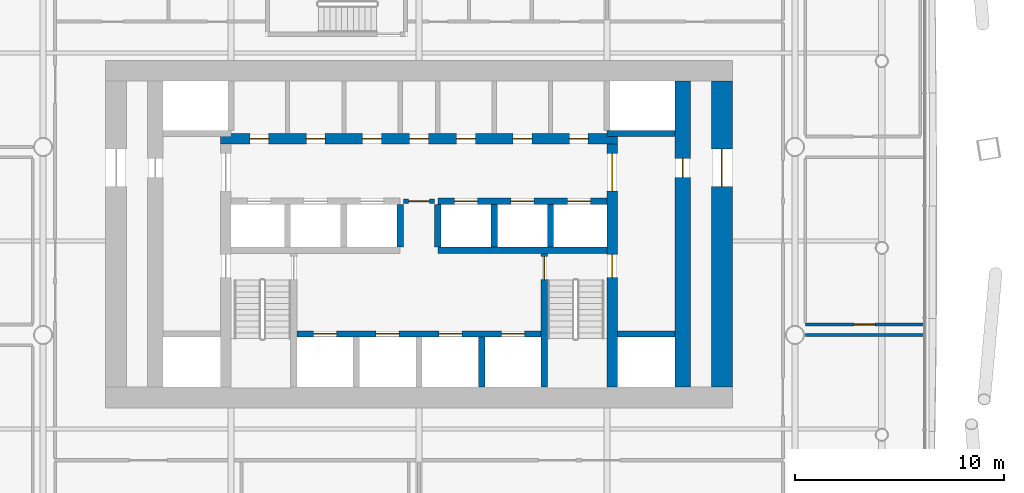
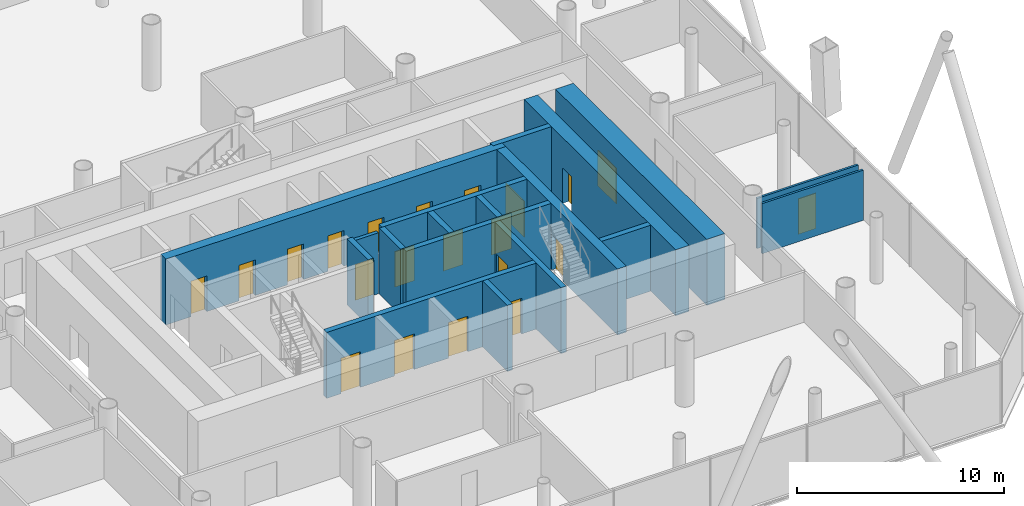
# One storey, part 18 of 25: 21 doors, 18 walls, 21 openings.
"""IFC4 building model written with IfcOpenShell, lengths in metres."""

from ifc_helpers import new_model, si_unit, direction, frame, frame_2d, origin, place, context, subcontext, project, spatial, rectangle, extrude, material, layer, layer_set, type_object, element, fill, save


model = new_model("IFC4")

# Units and contexts
model_context = context("Model", 3, precision=1e-05, world=origin(), true_north=direction((0.0, 1.0)))
body_context = subcontext(model_context, "Body", "Model", "MODEL_VIEW")
ifc_project = project(units=[si_unit("LENGTHUNIT", "METRE"), si_unit("AREAUNIT", "SQUARE_METRE"), si_unit("VOLUMEUNIT", "CUBIC_METRE"), si_unit("PLANEANGLEUNIT", "RADIAN"), si_unit("MASSUNIT", "GRAM", prefix="KILO")], contexts=[model_context])

# Site, building, storey
site_placement = place(None, origin())
site = spatial("IfcSite", under=ifc_project, at=site_placement, CompositionType="ELEMENT")
building_placement = place(site_placement, origin())
building = spatial("IfcBuilding", under=site, at=building_placement, Name="Tskaro Facet Tower", CompositionType="ELEMENT")
storey_placement = place(building_placement, frame((0.0, 0.0, 22.5)))
storey = spatial("IfcBuildingStorey", under=building, at=storey_placement, Name="L04", CompositionType="ELEMENT", Elevation=22.5)

# Wall, openings, doors
ifc_material_1 = material(Name="Concrete C60/75", Category="concrete")
ifc_layer_1 = layer(ifc_material_1, 0.300048828125, Name="Concrete C60/75")
ifc_layer_set_1 = layer_set([ifc_layer_1], Name="Concrete C60/75")
wall_type_1 = type_object("IfcWallType", Name="CORE-SHAFT", PredefinedType="SHEAR", material=ifc_layer_set_1)
wall_1_placement = place(storey_placement, frame((-5.85009765625, -8.949951171875, 0.0), z_axis=(0.0, 0.0, 1.0), x_axis=(1.0, 0.0, 0.0)))
wall_1 = element("IfcWall", 1, at=wall_1_placement, inside=storey, type_object=wall_type_1, Name="Shaft wall W007", PredefinedType="SHEAR", context=body_context, shape_type="SweptSolid", body=[
    extrude(rectangle(XDim=11.7001953125, YDim=0.300048828125, at=frame_2d((5.85009765625, 0.0))), origin(), (0.0, 0.0, 1.0), 3.89990234375),
])
opening_1_placement = place(wall_1_placement, frame((0.800048828125, 0.0, 0.0)))
opening_1 = element("IfcOpeningElement", 2, at=opening_1_placement, cuts=wall_1, Name="Opening LD-FF1", PredefinedType="OPENING", context=body_context, shape_type="SweptSolid", body=[
    extrude(rectangle(XDim=1.10009765625, YDim=2.10009765625, at=frame_2d((0.550048828125, 1.050048828125))), frame((0.0, 0.159912109375, 0.0), z_axis=(0.0, -1.0, 0.0), x_axis=(1.0, 0.0, 0.0)), (0.0, 0.0, 1.0), 0.320068359375),
])
opening_2_placement = place(wall_1_placement, frame((3.800048828125, 0.0, 0.0)))
opening_2 = element("IfcOpeningElement", 3, at=opening_2_placement, cuts=wall_1, Name="Opening LD-FF2", PredefinedType="OPENING", context=body_context, shape_type="SweptSolid", body=[
    extrude(rectangle(XDim=1.10009765625, YDim=2.10009765625, at=frame_2d((0.550048828125, 1.050048828125))), frame((0.0, 0.159912109375, 0.0), z_axis=(0.0, -1.0, 0.0), x_axis=(1.0, 0.0, 0.0)), (0.0, 0.0, 1.0), 0.320068359375),
])
opening_3_placement = place(wall_1_placement, frame((6.800048828125, 0.0, 0.0)))
opening_3 = element("IfcOpeningElement", 4, at=opening_3_placement, cuts=wall_1, Name="Opening LD-SV1", PredefinedType="OPENING", context=body_context, shape_type="SweptSolid", body=[
    extrude(rectangle(XDim=1.10009765625, YDim=2.10009765625, at=frame_2d((0.550048828125, 1.050048828125))), frame((0.0, 0.159912109375, 0.0), z_axis=(0.0, -1.0, 0.0), x_axis=(1.0, 0.0, 0.0)), (0.0, 0.0, 1.0), 0.320068359375),
])
opening_4_placement = place(wall_1_placement, frame((9.800048828125, 0.0, 0.0)))
opening_4 = element("IfcOpeningElement", 5, at=opening_4_placement, cuts=wall_1, Name="Opening LD-SV2", PredefinedType="OPENING", context=body_context, shape_type="SweptSolid", body=[
    extrude(rectangle(XDim=1.10009765625, YDim=2.10009765625, at=frame_2d((0.550048828125, 1.050048828125))), frame((0.0, 0.159912109375, 0.0), z_axis=(0.0, -1.0, 0.0), x_axis=(1.0, 0.0, 0.0)), (0.0, 0.0, 1.0), 0.320068359375),
])
ifc_material_2 = material(Name="Stainless steel", Category="steel")
door_type_1 = type_object("IfcDoorType", Name="D-LANDING", OperationType="NOTDEFINED", PredefinedType="DOOR", material=ifc_material_2)
door_1_placement = place(opening_1_placement, origin())
door_1 = element("IfcDoor", 6, at=door_1_placement, inside=storey, type_object=door_type_1, Name="Landing door FF1", OperationType="DOUBLE_DOOR_SLIDING", OverallHeight=2.10009765625, OverallWidth=1.10009765625, PredefinedType="DOOR", context=body_context, shape_type="SweptSolid", body=[
    extrude(rectangle(XDim=1.10009765625, YDim=2.10009765625, at=frame_2d((0.550048828125, 1.050048828125))), frame((0.0, 0.02490234375, 0.0), z_axis=(0.0, -1.0, 0.0), x_axis=(1.0, 0.0, 0.0)), (0.0, 0.0, 1.0), 0.050048828125),
])
fill(opening_1, door_1)
door_2_placement = place(opening_2_placement, origin())
door_2 = element("IfcDoor", 7, at=door_2_placement, inside=storey, type_object=door_type_1, Name="Landing door FF2", OperationType="DOUBLE_DOOR_SLIDING", OverallHeight=2.10009765625, OverallWidth=1.10009765625, PredefinedType="DOOR", context=body_context, shape_type="SweptSolid", body=[
    extrude(rectangle(XDim=1.10009765625, YDim=2.10009765625, at=frame_2d((0.550048828125, 1.050048828125))), frame((0.0, 0.02490234375, 0.0), z_axis=(0.0, -1.0, 0.0), x_axis=(1.0, 0.0, 0.0)), (0.0, 0.0, 1.0), 0.050048828125),
])
fill(opening_2, door_2)
door_3_placement = place(opening_3_placement, origin())
door_3 = element("IfcDoor", 8, at=door_3_placement, inside=storey, type_object=door_type_1, Name="Landing door SV1", OperationType="DOUBLE_DOOR_SLIDING", OverallHeight=2.10009765625, OverallWidth=1.10009765625, PredefinedType="DOOR", context=body_context, shape_type="SweptSolid", body=[
    extrude(rectangle(XDim=1.10009765625, YDim=2.10009765625, at=frame_2d((0.550048828125, 1.050048828125))), frame((0.0, 0.02490234375, 0.0), z_axis=(0.0, -1.0, 0.0), x_axis=(1.0, 0.0, 0.0)), (0.0, 0.0, 1.0), 0.050048828125),
])
fill(opening_3, door_3)
door_4_placement = place(opening_4_placement, origin())
door_4 = element("IfcDoor", 9, at=door_4_placement, inside=storey, type_object=door_type_1, Name="Landing door SV2", OperationType="DOUBLE_DOOR_SLIDING", OverallHeight=2.10009765625, OverallWidth=1.10009765625, PredefinedType="DOOR", context=body_context, shape_type="SweptSolid", body=[
    extrude(rectangle(XDim=1.10009765625, YDim=2.10009765625, at=frame_2d((0.550048828125, 1.050048828125))), frame((0.0, 0.02490234375, 0.0), z_axis=(0.0, -1.0, 0.0), x_axis=(1.0, 0.0, 0.0)), (0.0, 0.0, 1.0), 0.050048828125),
])
fill(opening_4, door_4)

# Walls
wall_2_placement = place(storey_placement, frame((9.5, -8.949951171875, 0.0), z_axis=(0.0, 0.0, 1.0), x_axis=(1.0, 0.0, 0.0)))
element("IfcWall", 10, at=wall_2_placement, inside=storey, type_object=wall_type_1, Name="Shaft wall W008", PredefinedType="SHEAR", context=body_context, shape_type="SweptSolid", body=[
    extrude(rectangle(XDim=2.75, YDim=0.300048828125, at=frame_2d((1.375, 0.0))), origin(), (0.0, 0.0, 1.0), 3.89990234375),
])
wall_3_placement = place(storey_placement, frame((0.89990234375, -4.949951171875, 0.0), z_axis=(0.0, 0.0, 1.0), x_axis=(1.0, 0.0, 0.0)))
element("IfcWall", 11, at=wall_3_placement, inside=storey, type_object=wall_type_1, Name="Shaft wall W012", PredefinedType="SHEAR", context=body_context, shape_type="SweptSolid", body=[
    extrude(rectangle(XDim=8.10009765625, YDim=0.300048828125, at=frame_2d((4.050048828125, 0.0))), origin(), (0.0, 0.0, 1.0), 3.89990234375),
])

# Wall, openings, doors
wall_4_placement = place(storey_placement, frame((0.89990234375, -2.60009765625, 0.0), z_axis=(0.0, 0.0, 1.0), x_axis=(1.0, 0.0, 0.0)))
wall_4 = element("IfcWall", 12, at=wall_4_placement, inside=storey, type_object=wall_type_1, Name="Shaft wall W015", PredefinedType="SHEAR", context=body_context, shape_type="SweptSolid", body=[
    extrude(rectangle(XDim=8.10009765625, YDim=0.300048828125, at=frame_2d((4.050048828125, 0.0))), origin(), (0.0, 0.0, 1.0), 3.89990234375),
])
opening_5_placement = place(wall_4_placement, frame((0.800048828125, 0.0, 0.0)))
opening_5 = element("IfcOpeningElement", 13, at=opening_5_placement, cuts=wall_4, Name="Opening LD-LR4", PredefinedType="OPENING", context=body_context, shape_type="SweptSolid", body=[
    extrude(rectangle(XDim=1.10009765625, YDim=2.10009765625, at=frame_2d((0.550048828125, 1.050048828125))), frame((0.0, 0.159912109375, 0.0), z_axis=(0.0, -1.0, 0.0), x_axis=(1.0, 0.0, 0.0)), (0.0, 0.0, 1.0), 0.320068359375),
])
opening_6_placement = place(wall_4_placement, frame((3.5, 0.0, 0.0)))
opening_6 = element("IfcOpeningElement", 14, at=opening_6_placement, cuts=wall_4, Name="Opening LD-LR5", PredefinedType="OPENING", context=body_context, shape_type="SweptSolid", body=[
    extrude(rectangle(XDim=1.10009765625, YDim=2.10009765625, at=frame_2d((0.550048828125, 1.050048828125))), frame((0.0, 0.159912109375, 0.0), z_axis=(0.0, -1.0, 0.0), x_axis=(1.0, 0.0, 0.0)), (0.0, 0.0, 1.0), 0.320068359375),
])
opening_7_placement = place(wall_4_placement, frame((6.199951171875, 0.0, 0.0)))
opening_7 = element("IfcOpeningElement", 15, at=opening_7_placement, cuts=wall_4, Name="Opening LD-LR6", PredefinedType="OPENING", context=body_context, shape_type="SweptSolid", body=[
    extrude(rectangle(XDim=1.10009765625, YDim=2.10009765625, at=frame_2d((0.550048828125, 1.050048828125))), frame((0.0, 0.159912109375, 0.0), z_axis=(0.0, -1.0, 0.0), x_axis=(1.0, 0.0, 0.0)), (0.0, 0.0, 1.0), 0.320068359375),
])
door_5_placement = place(opening_5_placement, origin())
door_5 = element("IfcDoor", 16, at=door_5_placement, inside=storey, type_object=door_type_1, Name="Landing door LR4", OperationType="DOUBLE_DOOR_SLIDING", OverallHeight=2.10009765625, OverallWidth=1.10009765625, PredefinedType="DOOR", context=body_context, shape_type="SweptSolid", body=[
    extrude(rectangle(XDim=1.10009765625, YDim=2.10009765625, at=frame_2d((0.550048828125, 1.050048828125))), frame((0.0, 0.02490234375, 0.0), z_axis=(0.0, -1.0, 0.0), x_axis=(1.0, 0.0, 0.0)), (0.0, 0.0, 1.0), 0.050048828125),
])
fill(opening_5, door_5)
door_6_placement = place(opening_6_placement, origin())
door_6 = element("IfcDoor", 17, at=door_6_placement, inside=storey, type_object=door_type_1, Name="Landing door LR5", OperationType="DOUBLE_DOOR_SLIDING", OverallHeight=2.10009765625, OverallWidth=1.10009765625, PredefinedType="DOOR", context=body_context, shape_type="SweptSolid", body=[
    extrude(rectangle(XDim=1.10009765625, YDim=2.10009765625, at=frame_2d((0.550048828125, 1.050048828125))), frame((0.0, 0.02490234375, 0.0), z_axis=(0.0, -1.0, 0.0), x_axis=(1.0, 0.0, 0.0)), (0.0, 0.0, 1.0), 0.050048828125),
])
fill(opening_6, door_6)
door_7_placement = place(opening_7_placement, origin())
door_7 = element("IfcDoor", 18, at=door_7_placement, inside=storey, type_object=door_type_1, Name="Landing door LR6", OperationType="DOUBLE_DOOR_SLIDING", OverallHeight=2.10009765625, OverallWidth=1.10009765625, PredefinedType="DOOR", context=body_context, shape_type="SweptSolid", body=[
    extrude(rectangle(XDim=1.10009765625, YDim=2.10009765625, at=frame_2d((0.550048828125, 1.050048828125))), frame((0.0, 0.02490234375, 0.0), z_axis=(0.0, -1.0, 0.0), x_axis=(1.0, 0.0, 0.0)), (0.0, 0.0, 1.0), 0.050048828125),
])
fill(opening_7, door_7)

# Walls
wall_5_placement = place(storey_placement, frame((12.25, 0.64990234375, 0.0), z_axis=(0.0, 0.0, 1.0), x_axis=(-1.0, 0.0, 0.0)))
element("IfcWall", 19, at=wall_5_placement, inside=storey, type_object=wall_type_1, Name="Shaft wall W021", PredefinedType="SHEAR", context=body_context, shape_type="SweptSolid", body=[
    extrude(rectangle(XDim=3.25, YDim=0.300048828125, at=frame_2d((1.625, 0.0))), origin(), (0.0, 0.0, 1.0), 3.89990234375),
])
for number, where, z_axis, x_axis, name in (
    (20, (-0.89990234375, -4.800048828125, 0.0), (0.0, 0.0, 1.0), (0.0, 1.0, 0.0), "Shaft wall W050"),
    (21, (0.89990234375, -4.800048828125, 0.0), (0.0, 0.0, 1.0), (0.0, 1.0, 0.0), "Shaft wall W059"),
):
    element("IfcWall", number, at=place(storey_placement, frame(where, z_axis=z_axis, x_axis=x_axis)), inside=storey, type_object=wall_type_1, Name=name, PredefinedType="SHEAR", context=body_context, shape_type="SweptSolid", body=[
        extrude(rectangle(XDim=2.050048828125, YDim=0.300048828125, at=frame_2d((1.02490234375, 0.0))), origin(), (0.0, 0.0, 1.0), 3.89990234375),
    ])
wall_6_placement = place(storey_placement, frame((3.0, -11.5, 0.0), z_axis=(0.0, 0.0, 1.0), x_axis=(0.0, 1.0, 0.0)))
element("IfcWall", 22, at=wall_6_placement, inside=storey, type_object=wall_type_1, Name="Shaft wall W062", PredefinedType="SHEAR", context=body_context, shape_type="SweptSolid", body=[
    extrude(rectangle(XDim=2.39990234375, YDim=0.300048828125, at=frame_2d((1.199951171875, 0.0))), origin(), (0.0, 0.0, 1.0), 3.89990234375),
])
wall_7_placement = place(storey_placement, frame((3.60009765625, -4.800048828125, 0.0), z_axis=(0.0, 0.0, 1.0), x_axis=(0.0, 1.0, 0.0)))
element("IfcWall", 23, at=wall_7_placement, inside=storey, type_object=wall_type_1, Name="Shaft wall W063", PredefinedType="SHEAR", context=body_context, shape_type="SweptSolid", body=[
    extrude(rectangle(XDim=2.050048828125, YDim=0.300048828125, at=frame_2d((1.02490234375, 0.0))), origin(), (0.0, 0.0, 1.0), 3.89990234375),
])

# Wall, opening, door
wall_8_placement = place(storey_placement, frame((6.0, -5.10009765625, 0.0), z_axis=(0.0, 0.0, 1.0), x_axis=(0.0, -1.0, 0.0)))
wall_8 = element("IfcWall", 24, at=wall_8_placement, inside=storey, type_object=wall_type_1, Name="Shaft wall W066", PredefinedType="SHEAR", context=body_context, shape_type="SweptSolid", body=[
    extrude(rectangle(XDim=6.39990234375, YDim=0.300048828125, at=frame_2d((3.199951171875, 0.0))), origin(), (0.0, 0.0, 1.0), 3.89990234375),
])
opening_8_placement = place(wall_8_placement, frame((0.14990234375, 0.0, 0.0)))
opening_8 = element("IfcOpeningElement", 25, at=opening_8_placement, cuts=wall_8, Name="Opening ST-2-D1", PredefinedType="OPENING", context=body_context, shape_type="SweptSolid", body=[
    extrude(rectangle(XDim=1.10009765625, YDim=2.10009765625, at=frame_2d((0.550048828125, 1.050048828125))), frame((0.0, 0.159912109375, 0.0), z_axis=(0.0, -1.0, 0.0), x_axis=(1.0, 0.0, 0.0)), (0.0, 0.0, 1.0), 0.320068359375),
])
ifc_material_3 = material(Name="Steel", Category="steel")
door_type_2 = type_object("IfcDoorType", Name="D-STAIR", OperationType="NOTDEFINED", PredefinedType="DOOR", material=ifc_material_3)
door_8_placement = place(opening_8_placement, origin())
door_8 = element("IfcDoor", 26, at=door_8_placement, inside=storey, type_object=door_type_2, Name="Stair door 2", OperationType="SINGLE_SWING_RIGHT", OverallHeight=2.10009765625, OverallWidth=1.10009765625, PredefinedType="DOOR", context=body_context, shape_type="SweptSolid", body=[
    extrude(rectangle(XDim=1.10009765625, YDim=2.10009765625, at=frame_2d((0.550048828125, 1.050048828125))), frame((0.0, 0.02490234375, 0.0), z_axis=(0.0, -1.0, 0.0), x_axis=(1.0, 0.0, 0.0)), (0.0, 0.0, 1.0), 0.050048828125),
])
fill(opening_8, door_8)

# Wall
wall_9_placement = place(storey_placement, frame((6.300048828125, -4.800048828125, 0.0), z_axis=(0.0, 0.0, 1.0), x_axis=(0.0, 1.0, 0.0)))
element("IfcWall", 27, at=wall_9_placement, inside=storey, type_object=wall_type_1, Name="Shaft wall W067", PredefinedType="SHEAR", context=body_context, shape_type="SweptSolid", body=[
    extrude(rectangle(XDim=2.050048828125, YDim=0.300048828125, at=frame_2d((1.02490234375, 0.0))), origin(), (0.0, 0.0, 1.0), 3.89990234375),
])

# Wall, opening, door
ifc_material_4 = material(Name="Concrete C20/25", Category="concrete")
ifc_layer_2 = layer(ifc_material_4, 0.199951171875, Name="Concrete C20/25")
ifc_layer_set_2 = layer_set([ifc_layer_2], Name="Concrete C20/25")
wall_type_2 = type_object("IfcWallType", Name="CORE-WALL", PredefinedType="SOLIDWALL", material=ifc_layer_set_2)
wall_10_placement = place(storey_placement, frame((0.75, -2.60009765625, 0.0), z_axis=(0.0, 0.0, 1.0), x_axis=(-1.0, 0.0, 0.0)))
wall_10 = element("IfcWall", 28, at=wall_10_placement, inside=storey, type_object=wall_type_2, Name="Core room wall W014", PredefinedType="SOLIDWALL", context=body_context, shape_type="SweptSolid", body=[
    extrude(rectangle(XDim=1.5, YDim=0.199951171875, at=frame_2d((0.75, 0.0))), origin(), (0.0, 0.0, 1.0), 3.60009765625),
])
opening_9_placement = place(wall_10_placement, frame((0.25, 0.0, 0.0)))
opening_9 = element("IfcOpeningElement", 29, at=opening_9_placement, cuts=wall_10, Name="Opening FL-D1", PredefinedType="OPENING", context=body_context, shape_type="SweptSolid", body=[
    extrude(rectangle(XDim=1.0, YDim=2.10009765625, at=frame_2d((0.5, 1.050048828125))), frame((0.0, 0.10986328125, 0.0), z_axis=(0.0, -1.0, 0.0), x_axis=(1.0, 0.0, 0.0)), (0.0, 0.0, 1.0), 0.219970703125),
])
door_type_3 = type_object("IfcDoorType", Name="D-LOBBY", OperationType="NOTDEFINED", PredefinedType="DOOR", material=ifc_material_3)
door_9_placement = place(opening_9_placement, origin())
door_9 = element("IfcDoor", 30, at=door_9_placement, inside=storey, type_object=door_type_3, Name="Lobby door FL", OperationType="SINGLE_SWING_RIGHT", OverallHeight=2.10009765625, OverallWidth=1.0, PredefinedType="DOOR", context=body_context, shape_type="SweptSolid", body=[
    extrude(rectangle(XDim=1.0, YDim=2.10009765625, at=frame_2d((0.5, 1.050048828125))), frame((0.0, 0.02490234375, 0.0), z_axis=(0.0, -1.0, 0.0), x_axis=(1.0, 0.0, 0.0)), (0.0, 0.0, 1.0), 0.050048828125),
])
fill(opening_9, door_9)

ifc_layer_3 = layer(ifc_material_1, 1.0, Name="Concrete C60/75")
ifc_layer_set_3 = layer_set([ifc_layer_3], Name="Concrete C60/75")
wall_type_3 = type_object("IfcWallType", Name="Core wall 1000", PredefinedType="SHEAR", material=ifc_layer_set_3)
wall_11_placement = place(storey_placement, frame((14.5, -11.5, 0.0), z_axis=(0.0, 0.0, 1.0), x_axis=(0.0, 1.0, 0.0)))
wall_11 = element("IfcWall", 31, at=wall_11_placement, inside=storey, type_object=wall_type_3, Name="Core wall CW-Z1E", PredefinedType="SHEAR", context=body_context, shape_type="SweptSolid", body=[
    extrude(rectangle(XDim=14.64990234375, YDim=1.0, at=frame_2d((7.324951171875, 0.0))), origin(), (0.0, 0.0, 1.0), 3.89990234375),
])
opening_10_placement = place(wall_11_placement, frame((9.60009765625, 0.0, 0.0)))
opening_10 = element("IfcOpeningElement", 32, at=opening_10_placement, cuts=wall_11, Name="Opening T1-D20", PredefinedType="OPENING", context=body_context, shape_type="SweptSolid", body=[
    extrude(rectangle(XDim=1.800048828125, YDim=2.10009765625, at=frame_2d((0.89990234375, 1.050048828125))), frame((0.0, 0.510009765625, 0.0), z_axis=(0.0, -1.0, 0.0), x_axis=(1.0, 0.0, 0.0)), (0.0, 0.0, 1.0), 1.02001953125),
])
door_type_4 = type_object("IfcDoorType", Name="D-CORE-PAIR", OperationType="NOTDEFINED", PredefinedType="DOOR", material=ifc_material_3)
door_10_placement = place(opening_10_placement, origin())
door_10 = element("IfcDoor", 33, at=door_10_placement, inside=storey, type_object=door_type_4, Name="Door T1-D20", OperationType="DOUBLE_DOOR_SINGLE_SWING", OverallHeight=2.10009765625, OverallWidth=1.800048828125, PredefinedType="DOOR", context=body_context, shape_type="SweptSolid", body=[
    extrude(rectangle(XDim=1.800048828125, YDim=2.10009765625, at=frame_2d((0.89990234375, 1.050048828125))), frame((0.0, 0.02490234375, 0.0), z_axis=(0.0, -1.0, 0.0), x_axis=(1.0, 0.0, 0.0)), (0.0, 0.0, 1.0), 0.050048828125),
])
fill(opening_10, door_10)

# Wall, openings, doors
ifc_material_5 = material(Name="Concrete C40/50", Category="concrete")
ifc_layer_4 = layer(ifc_material_5, 0.5, Name="Concrete C40/50")
ifc_layer_set_4 = layer_set([ifc_layer_4], Name="Concrete C40/50")
wall_type_4 = type_object("IfcWallType", Name="Core wall 500", PredefinedType="SHEAR", material=ifc_layer_set_4)
wall_12_placement = place(storey_placement, frame((-9.5, 0.39990234375, 0.0), z_axis=(0.0, 0.0, 1.0), x_axis=(1.0, 0.0, 0.0)))
wall_12 = element("IfcWall", 34, at=wall_12_placement, inside=storey, type_object=wall_type_4, Name="Core wall CW-Z3N", PredefinedType="SHEAR", context=body_context, shape_type="SweptSolid", body=[
    extrude(rectangle(XDim=19.0, YDim=0.5, at=frame_2d((9.5, 0.0))), origin(), (0.0, 0.0, 1.0), 3.89990234375),
])
opening_11_placement = place(wall_12_placement, frame((1.39990234375, 0.0, 0.0)))
opening_11 = element("IfcOpeningElement", 35, at=opening_11_placement, cuts=wall_12, Name="Opening T1-D21", PredefinedType="OPENING", context=body_context, shape_type="SweptSolid", body=[
    extrude(rectangle(XDim=0.89990234375, YDim=2.10009765625, at=frame_2d((0.449951171875, 1.050048828125))), frame((0.0, 0.260009765625, 0.0), z_axis=(0.0, -1.0, 0.0), x_axis=(1.0, 0.0, 0.0)), (0.0, 0.0, 1.0), 0.52001953125),
])
opening_12_placement = place(wall_12_placement, frame((4.10009765625, 0.0, 0.0)))
opening_12 = element("IfcOpeningElement", 36, at=opening_12_placement, cuts=wall_12, Name="Opening T1-D22", PredefinedType="OPENING", context=body_context, shape_type="SweptSolid", body=[
    extrude(rectangle(XDim=0.89990234375, YDim=2.10009765625, at=frame_2d((0.449951171875, 1.050048828125))), frame((0.0, 0.260009765625, 0.0), z_axis=(0.0, -1.0, 0.0), x_axis=(1.0, 0.0, 0.0)), (0.0, 0.0, 1.0), 0.52001953125),
])
opening_13_placement = place(wall_12_placement, frame((6.800048828125, 0.0, 0.0)))
opening_13 = element("IfcOpeningElement", 37, at=opening_13_placement, cuts=wall_12, Name="Opening T1-D23", PredefinedType="OPENING", context=body_context, shape_type="SweptSolid", body=[
    extrude(rectangle(XDim=0.89990234375, YDim=2.10009765625, at=frame_2d((0.449951171875, 1.050048828125))), frame((0.0, 0.260009765625, 0.0), z_axis=(0.0, -1.0, 0.0), x_axis=(1.0, 0.0, 0.0)), (0.0, 0.0, 1.0), 0.52001953125),
])
opening_14_placement = place(wall_12_placement, frame((11.300048828125, 0.0, 0.0)))
opening_14 = element("IfcOpeningElement", 38, at=opening_14_placement, cuts=wall_12, Name="Opening T1-D25", PredefinedType="OPENING", context=body_context, shape_type="SweptSolid", body=[
    extrude(rectangle(XDim=0.89990234375, YDim=2.10009765625, at=frame_2d((0.449951171875, 1.050048828125))), frame((0.0, 0.260009765625, 0.0), z_axis=(0.0, -1.0, 0.0), x_axis=(1.0, 0.0, 0.0)), (0.0, 0.0, 1.0), 0.52001953125),
])
opening_15_placement = place(wall_12_placement, frame((14.0, 0.0, 0.0)))
opening_15 = element("IfcOpeningElement", 39, at=opening_15_placement, cuts=wall_12, Name="Opening T1-D26", PredefinedType="OPENING", context=body_context, shape_type="SweptSolid", body=[
    extrude(rectangle(XDim=0.89990234375, YDim=2.10009765625, at=frame_2d((0.449951171875, 1.050048828125))), frame((0.0, 0.260009765625, 0.0), z_axis=(0.0, -1.0, 0.0), x_axis=(1.0, 0.0, 0.0)), (0.0, 0.0, 1.0), 0.52001953125),
])
opening_16_placement = place(wall_12_placement, frame((16.699951171875, 0.0, 0.0)))
opening_16 = element("IfcOpeningElement", 40, at=opening_16_placement, cuts=wall_12, Name="Opening T1-D27", PredefinedType="OPENING", context=body_context, shape_type="SweptSolid", body=[
    extrude(rectangle(XDim=0.89990234375, YDim=2.10009765625, at=frame_2d((0.449951171875, 1.050048828125))), frame((0.0, 0.260009765625, 0.0), z_axis=(0.0, -1.0, 0.0), x_axis=(1.0, 0.0, 0.0)), (0.0, 0.0, 1.0), 0.52001953125),
])
opening_17_placement = place(wall_12_placement, frame((9.050048828125, 0.0, 0.0)))
opening_17 = element("IfcOpeningElement", 41, at=opening_17_placement, cuts=wall_12, Name="Opening T1-D24", PredefinedType="OPENING", context=body_context, shape_type="SweptSolid", body=[
    extrude(rectangle(XDim=0.89990234375, YDim=2.10009765625, at=frame_2d((0.449951171875, 1.050048828125))), frame((0.0, 0.260009765625, 0.0), z_axis=(0.0, -1.0, 0.0), x_axis=(1.0, 0.0, 0.0)), (0.0, 0.0, 1.0), 0.52001953125),
])
door_type_5 = type_object("IfcDoorType", Name="D-RISER", OperationType="NOTDEFINED", PredefinedType="DOOR", material=ifc_material_3)
door_11_placement = place(opening_17_placement, origin())
door_11 = element("IfcDoor", 42, at=door_11_placement, inside=storey, type_object=door_type_5, Name="Door T1-D24", OperationType="SINGLE_SWING_LEFT", OverallHeight=2.10009765625, OverallWidth=0.89990234375, PredefinedType="DOOR", context=body_context, shape_type="SweptSolid", body=[
    extrude(rectangle(XDim=0.89990234375, YDim=2.10009765625, at=frame_2d((0.449951171875, 1.050048828125))), frame((0.0, 0.02490234375, 0.0), z_axis=(0.0, -1.0, 0.0), x_axis=(1.0, 0.0, 0.0)), (0.0, 0.0, 1.0), 0.050048828125),
])
fill(opening_17, door_11)
ifc_material_6 = material(Name="Timber", Category="wood")
door_type_6 = type_object("IfcDoorType", Name="D-ROOM", OperationType="NOTDEFINED", PredefinedType="DOOR", material=ifc_material_6)
door_12_placement = place(opening_11_placement, origin())
door_12 = element("IfcDoor", 43, at=door_12_placement, inside=storey, type_object=door_type_6, Name="Door T1-D21", OperationType="SINGLE_SWING_LEFT", OverallHeight=2.10009765625, OverallWidth=0.89990234375, PredefinedType="DOOR", context=body_context, shape_type="SweptSolid", body=[
    extrude(rectangle(XDim=0.89990234375, YDim=2.10009765625, at=frame_2d((0.449951171875, 1.050048828125))), frame((0.0, 0.02490234375, 0.0), z_axis=(0.0, -1.0, 0.0), x_axis=(1.0, 0.0, 0.0)), (0.0, 0.0, 1.0), 0.050048828125),
])
fill(opening_11, door_12)
door_13_placement = place(opening_12_placement, origin())
door_13 = element("IfcDoor", 44, at=door_13_placement, inside=storey, type_object=door_type_6, Name="Door T1-D22", OperationType="SINGLE_SWING_LEFT", OverallHeight=2.10009765625, OverallWidth=0.89990234375, PredefinedType="DOOR", context=body_context, shape_type="SweptSolid", body=[
    extrude(rectangle(XDim=0.89990234375, YDim=2.10009765625, at=frame_2d((0.449951171875, 1.050048828125))), frame((0.0, 0.02490234375, 0.0), z_axis=(0.0, -1.0, 0.0), x_axis=(1.0, 0.0, 0.0)), (0.0, 0.0, 1.0), 0.050048828125),
])
fill(opening_12, door_13)
door_14_placement = place(opening_13_placement, origin())
door_14 = element("IfcDoor", 45, at=door_14_placement, inside=storey, type_object=door_type_6, Name="Door T1-D23", OperationType="SINGLE_SWING_LEFT", OverallHeight=2.10009765625, OverallWidth=0.89990234375, PredefinedType="DOOR", context=body_context, shape_type="SweptSolid", body=[
    extrude(rectangle(XDim=0.89990234375, YDim=2.10009765625, at=frame_2d((0.449951171875, 1.050048828125))), frame((0.0, 0.02490234375, 0.0), z_axis=(0.0, -1.0, 0.0), x_axis=(1.0, 0.0, 0.0)), (0.0, 0.0, 1.0), 0.050048828125),
])
fill(opening_13, door_14)
door_15_placement = place(opening_14_placement, origin())
door_15 = element("IfcDoor", 46, at=door_15_placement, inside=storey, type_object=door_type_6, Name="Door T1-D25", OperationType="SINGLE_SWING_LEFT", OverallHeight=2.10009765625, OverallWidth=0.89990234375, PredefinedType="DOOR", context=body_context, shape_type="SweptSolid", body=[
    extrude(rectangle(XDim=0.89990234375, YDim=2.10009765625, at=frame_2d((0.449951171875, 1.050048828125))), frame((0.0, 0.02490234375, 0.0), z_axis=(0.0, -1.0, 0.0), x_axis=(1.0, 0.0, 0.0)), (0.0, 0.0, 1.0), 0.050048828125),
])
fill(opening_14, door_15)
door_16_placement = place(opening_15_placement, origin())
door_16 = element("IfcDoor", 47, at=door_16_placement, inside=storey, type_object=door_type_6, Name="Door T1-D26", OperationType="SINGLE_SWING_LEFT", OverallHeight=2.10009765625, OverallWidth=0.89990234375, PredefinedType="DOOR", context=body_context, shape_type="SweptSolid", body=[
    extrude(rectangle(XDim=0.89990234375, YDim=2.10009765625, at=frame_2d((0.449951171875, 1.050048828125))), frame((0.0, 0.02490234375, 0.0), z_axis=(0.0, -1.0, 0.0), x_axis=(1.0, 0.0, 0.0)), (0.0, 0.0, 1.0), 0.050048828125),
])
fill(opening_15, door_16)
door_17_placement = place(opening_16_placement, origin())
door_17 = element("IfcDoor", 48, at=door_17_placement, inside=storey, type_object=door_type_6, Name="Door T1-D27", OperationType="SINGLE_SWING_LEFT", OverallHeight=2.10009765625, OverallWidth=0.89990234375, PredefinedType="DOOR", context=body_context, shape_type="SweptSolid", body=[
    extrude(rectangle(XDim=0.89990234375, YDim=2.10009765625, at=frame_2d((0.449951171875, 1.050048828125))), frame((0.0, 0.02490234375, 0.0), z_axis=(0.0, -1.0, 0.0), x_axis=(1.0, 0.0, 0.0)), (0.0, 0.0, 1.0), 0.050048828125),
])
fill(opening_16, door_17)

wall_13_placement = place(storey_placement, frame((9.25, -11.5, 0.0), z_axis=(0.0, 0.0, 1.0), x_axis=(0.0, 1.0, 0.0)))
wall_13 = element("IfcWall", 49, at=wall_13_placement, inside=storey, type_object=wall_type_4, Name="Core wall CW-Z3E", PredefinedType="SHEAR", context=body_context, shape_type="SweptSolid", body=[
    extrude(rectangle(XDim=11.64990234375, YDim=0.5, at=frame_2d((5.824951171875, 0.0))), origin(), (0.0, 0.0, 1.0), 3.89990234375),
])
opening_18_placement = place(wall_13_placement, frame((9.39990234375, 0.0, 0.0)))
opening_18 = element("IfcOpeningElement", 50, at=opening_18_placement, cuts=wall_13, Name="Opening T1-D16", PredefinedType="OPENING", context=body_context, shape_type="SweptSolid", body=[
    extrude(rectangle(XDim=1.800048828125, YDim=2.10009765625, at=frame_2d((0.89990234375, 1.050048828125))), frame((0.0, 0.260009765625, 0.0), z_axis=(0.0, -1.0, 0.0), x_axis=(1.0, 0.0, 0.0)), (0.0, 0.0, 1.0), 0.52001953125),
])
opening_19_placement = place(wall_13_placement, frame((5.25, 0.0, 0.0)))
opening_19 = element("IfcOpeningElement", 51, at=opening_19_placement, cuts=wall_13, Name="Opening ST-2-D2", PredefinedType="OPENING", context=body_context, shape_type="SweptSolid", body=[
    extrude(rectangle(XDim=1.10009765625, YDim=2.10009765625, at=frame_2d((0.550048828125, 1.050048828125))), frame((0.0, 0.260009765625, 0.0), z_axis=(0.0, -1.0, 0.0), x_axis=(1.0, 0.0, 0.0)), (0.0, 0.0, 1.0), 0.52001953125),
])
door_18_placement = place(opening_18_placement, origin())
door_18 = element("IfcDoor", 52, at=door_18_placement, inside=storey, type_object=door_type_4, Name="Door T1-D16", OperationType="DOUBLE_DOOR_SINGLE_SWING", OverallHeight=2.10009765625, OverallWidth=1.800048828125, PredefinedType="DOOR", context=body_context, shape_type="SweptSolid", body=[
    extrude(rectangle(XDim=1.800048828125, YDim=2.10009765625, at=frame_2d((0.89990234375, 1.050048828125))), frame((0.0, 0.02490234375, 0.0), z_axis=(0.0, -1.0, 0.0), x_axis=(1.0, 0.0, 0.0)), (0.0, 0.0, 1.0), 0.050048828125),
])
fill(opening_18, door_18)
door_19_placement = place(opening_19_placement, origin())
door_19 = element("IfcDoor", 53, at=door_19_placement, inside=storey, type_object=door_type_2, Name="Stair door 2 east", OperationType="SINGLE_SWING_LEFT", OverallHeight=2.10009765625, OverallWidth=1.10009765625, PredefinedType="DOOR", context=body_context, shape_type="SweptSolid", body=[
    extrude(rectangle(XDim=1.10009765625, YDim=2.10009765625, at=frame_2d((0.550048828125, 1.050048828125))), frame((0.0, 0.02490234375, 0.0), z_axis=(0.0, -1.0, 0.0), x_axis=(1.0, 0.0, 0.0)), (0.0, 0.0, 1.0), 0.050048828125),
])
fill(opening_19, door_19)

# Wall, opening, door
ifc_material_7 = material(Name="Concrete C50/60", Category="concrete")
ifc_layer_5 = layer(ifc_material_7, 0.75, Name="Concrete C50/60")
ifc_layer_set_5 = layer_set([ifc_layer_5], Name="Concrete C50/60")
wall_type_5 = type_object("IfcWallType", Name="Core wall 750", PredefinedType="SHEAR", material=ifc_layer_set_5)
wall_14_placement = place(storey_placement, frame((12.625, -11.5, 0.0), z_axis=(0.0, 0.0, 1.0), x_axis=(0.0, 1.0, 0.0)))
wall_14 = element("IfcWall", 54, at=wall_14_placement, inside=storey, type_object=wall_type_5, Name="Core wall CW-Z2E", PredefinedType="SHEAR", context=body_context, shape_type="SweptSolid", body=[
    extrude(rectangle(XDim=14.64990234375, YDim=0.75, at=frame_2d((7.324951171875, 0.0))), origin(), (0.0, 0.0, 1.0), 3.89990234375),
])
opening_20_placement = place(wall_14_placement, frame((10.050048828125, 0.0, 0.0)))
opening_20 = element("IfcOpeningElement", 55, at=opening_20_placement, cuts=wall_14, Name="Opening T1-D19", PredefinedType="OPENING", context=body_context, shape_type="SweptSolid", body=[
    extrude(rectangle(XDim=0.89990234375, YDim=2.10009765625, at=frame_2d((0.449951171875, 1.050048828125))), frame((0.0, 0.385009765625, 0.0), z_axis=(0.0, -1.0, 0.0), x_axis=(1.0, 0.0, 0.0)), (0.0, 0.0, 1.0), 0.77001953125),
])
door_20_placement = place(opening_20_placement, origin())
door_20 = element("IfcDoor", 56, at=door_20_placement, inside=storey, type_object=door_type_6, Name="Door T1-D19", OperationType="SINGLE_SWING_LEFT", OverallHeight=2.10009765625, OverallWidth=0.89990234375, PredefinedType="DOOR", context=body_context, shape_type="SweptSolid", body=[
    extrude(rectangle(XDim=0.89990234375, YDim=2.10009765625, at=frame_2d((0.449951171875, 1.050048828125))), frame((0.0, 0.02490234375, 0.0), z_axis=(0.0, -1.0, 0.0), x_axis=(1.0, 0.0, 0.0)), (0.0, 0.0, 1.0), 0.050048828125),
])
fill(opening_20, door_20)

# Wall
ifc_material_8 = material(Name="Gypsum board on steel studs", Category="steel")
ifc_layer_6 = layer(ifc_material_8, 0.125, Name="Gypsum board on steel studs")
ifc_layer_set_6 = layer_set([ifc_layer_6], Name="Gypsum board on steel studs")
wall_type_6 = type_object("IfcWallType", Name="PART", PredefinedType="PARTITIONING", material=ifc_layer_set_6)
wall_15_placement = place(storey_placement, frame((18.5, -9.0, 0.0), z_axis=(0.0, 0.0, 1.0), x_axis=(1.0, 0.0, 0.0)))
element("IfcWall", 57, at=wall_15_placement, inside=storey, type_object=wall_type_6, Name="Partition W005", PredefinedType="PARTITIONING", context=body_context, shape_type="SweptSolid", body=[
    extrude(rectangle(XDim=5.652099609375, YDim=0.125, at=frame_2d((2.826171875, 0.0))), origin(), (0.0, 0.0, 1.0), 2.9599609375),
])

# Wall, opening, door
wall_16_placement = place(storey_placement, frame((18.5, -8.5, 0.0), z_axis=(0.0, 0.0, 1.0), x_axis=(1.0, 0.0, 0.0)))
wall_16 = element("IfcWall", 58, at=wall_16_placement, inside=storey, type_object=wall_type_6, Name="Partition W010", PredefinedType="PARTITIONING", context=body_context, shape_type="SweptSolid", body=[
    extrude(rectangle(XDim=5.652099609375, YDim=0.125, at=frame_2d((2.826171875, 0.0))), origin(), (0.0, 0.0, 1.0), 2.9599609375),
])
opening_21_placement = place(wall_16_placement, frame((2.325927734375, 0.0, 0.0)))
opening_21 = element("IfcOpeningElement", 59, at=opening_21_placement, cuts=wall_16, Name="Opening T1-D10", PredefinedType="OPENING", context=body_context, shape_type="SweptSolid", body=[
    extrude(rectangle(XDim=1.0, YDim=2.10009765625, at=frame_2d((0.5, 1.050048828125))), frame((0.0, 0.072509765625, 0.0), z_axis=(0.0, -1.0, 0.0), x_axis=(1.0, 0.0, 0.0)), (0.0, 0.0, 1.0), 0.14501953125),
])
door_type_7 = type_object("IfcDoorType", Name="D-ROOM-WIDE", OperationType="NOTDEFINED", PredefinedType="DOOR", material=ifc_material_6)
door_21_placement = place(opening_21_placement, origin())
door_21 = element("IfcDoor", 60, at=door_21_placement, inside=storey, type_object=door_type_7, Name="Door T1-D10", OperationType="SINGLE_SWING_LEFT", OverallHeight=2.10009765625, OverallWidth=1.0, PredefinedType="DOOR", context=body_context, shape_type="SweptSolid", body=[
    extrude(rectangle(XDim=1.0, YDim=2.10009765625, at=frame_2d((0.5, 1.050048828125))), frame((0.0, 0.02490234375, 0.0), z_axis=(0.0, -1.0, 0.0), x_axis=(1.0, 0.0, 0.0)), (0.0, 0.0, 1.0), 0.050048828125),
])
fill(opening_21, door_21)

save(model, "model.ifc")
